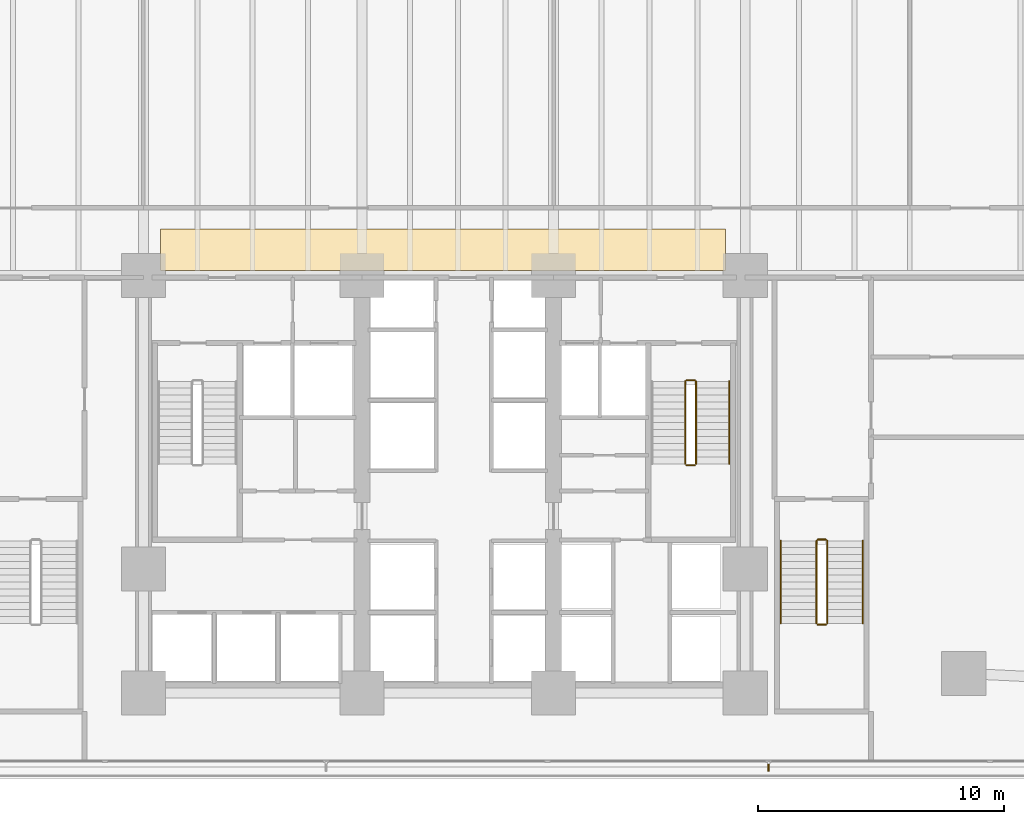
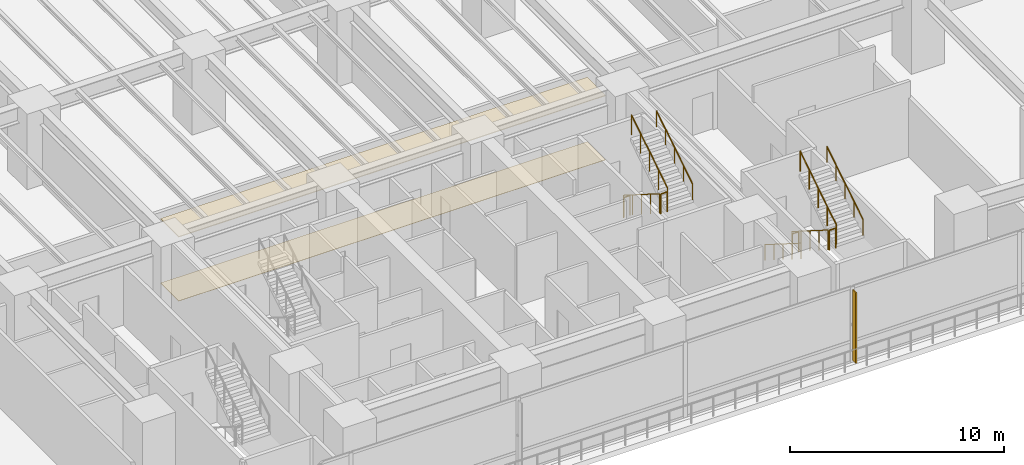
# One storey, part 23 of 28: 11 railings, 2 coverings, 1 shading device.
"""IFC4 building model written with IfcOpenShell, lengths in metres."""

from ifc_helpers import new_model, si_unit, direction, frame, origin, origin_2d, place, context, subcontext, project, spatial, polyline, circle, outline, extrude, material, layer, layer_set, type_object, element, save


model = new_model("IFC4")

# Units and contexts
model_context = context("Model", 3, precision=1e-05, world=origin(), true_north=direction((0.0, 1.0)))
body_context = subcontext(model_context, "Body", "Model", "MODEL_VIEW")
ifc_project = project(units=[si_unit("LENGTHUNIT", "METRE"), si_unit("AREAUNIT", "SQUARE_METRE"), si_unit("VOLUMEUNIT", "CUBIC_METRE"), si_unit("PLANEANGLEUNIT", "RADIAN"), si_unit("MASSUNIT", "GRAM", prefix="KILO")], contexts=[model_context])

# Site, building, storey
site_placement = place(None, origin())
site = spatial("IfcSite", under=ifc_project, at=site_placement, CompositionType="ELEMENT")
building_placement = place(site_placement, origin())
building = spatial("IfcBuilding", under=site, at=building_placement, Name="Qalmaran Belvedere Hotel", CompositionType="ELEMENT")
storey_placement = place(building_placement, frame((0.0, 0.0, 10.0)))
storey = spatial("IfcBuildingStorey", under=building, at=storey_placement, Name="L02", CompositionType="ELEMENT", Elevation=10.0)

# Covering
ifc_material_1 = material(Name="Acoustic Mineral Ceiling")
ifc_layer_1 = layer(ifc_material_1, 0.0400390625, Name="Acoustic Mineral Ceiling")
ifc_layer_set_1 = layer_set([ifc_layer_1], Name="Acoustic Mineral Ceiling")
covering_type_1 = type_object("IfcCoveringType", Name="CLG-ACOUSTIC-40", PredefinedType="CEILING", material=ifc_layer_set_1)
covering_1_placement = place(storey_placement, frame((0.0, 0.0, 3.64990234375)))
element("IfcCovering", 1, at=covering_1_placement, inside=storey, type_object=covering_type_1, Name="L02 Acoustic Corridor Ceiling", PredefinedType="CEILING", context=body_context, shape_type="SweptSolid", body=[
    extrude(outline(polyline([(21.0, 20.699951171875), (44.0, 20.699951171875), (44.0, 22.39990234375), (21.0, 22.39990234375), (21.0, 20.699951171875)])), origin(), (0.0, 0.0, 1.0), 0.0400390625),
])

# Shading device
ifc_material_2 = material(Name="Anodised Bronze Aluminium", Category="aluminium")
ifc_layer_2 = layer(ifc_material_2, 0.06494140625, Name="Anodised Bronze Aluminium")
ifc_layer_set_2 = layer_set([ifc_layer_2], Name="Anodised Bronze Aluminium")
shading_device_type = type_object("IfcShadingDeviceType", Name="FIN-BRNZ-300", PredefinedType="USERDEFINED", material=ifc_layer_set_2)
shading_device_placement = place(storey_placement, frame((0.0, 0.0, 0.159912109375)))
element("IfcShadingDevice", 2, at=shading_device_placement, inside=storey, type_object=shading_device_type, Name="L02 Bronze Fin 5", ObjectType="FIN", PredefinedType="USERDEFINED", context=body_context, shape_type="SweptSolid", body=[
    extrude(outline(polyline([(45.72509765625, 0.62744140625), (45.72509765625, 0.327392578125), (45.7900390625, 0.327392578125), (45.7900390625, 0.62744140625), (45.72509765625, 0.62744140625)])), origin(), (0.0, 0.0, 1.0), 4.02001953125),
])

# Covering
ifc_material_3 = material(Name="Polished Stone Terrazzo", Category="masonry")
ifc_layer_3 = layer(ifc_material_3, 0.01806640625, Name="Polished Stone Terrazzo")
ifc_layer_set_3 = layer_set([ifc_layer_3], Name="Polished Stone Terrazzo")
covering_type_2 = type_object("IfcCoveringType", Name="FIN-TERRAZZO-18", PredefinedType="FLOORING", material=ifc_layer_set_3)
covering_2_placement = place(storey_placement, frame((0.0, 0.0, 0.001953125)))
element("IfcCovering", 3, at=covering_2_placement, inside=storey, type_object=covering_type_2, Name="L02 Limestone Corridor Flooring", PredefinedType="FLOORING", context=body_context, shape_type="SweptSolid", body=[
    extrude(outline(polyline([(21.0, 20.699951171875), (44.0, 20.699951171875), (44.0, 22.39990234375), (21.0, 22.39990234375), (21.0, 20.699951171875)])), origin(), (0.0, 0.0, 1.0), 0.01806640625),
])

# Railings
ifc_material_4 = material(Name="Stainless Steel 1.4401", Category="steel")
railing_type_1 = type_object("IfcRailingType", Name="RLG-STAIR-GUARD-1150", PredefinedType="GUARDRAIL", material=ifc_material_4)
railing_1_placement = place(storey_placement, frame((42.360107421875, 16.18994140625, 0.177001953125)))
element("IfcRailing", 4, at=railing_1_placement, inside=storey, type_object=railing_type_1, Name="L02 ST-2 stair guard 1", PredefinedType="GUARDRAIL", context=body_context, shape_type="SweptSolid", body=[
    extrude(circle(Radius=0.02392578125, at=origin_2d()), frame((0.0, 0.0, 1.1259765625), z_axis=(0.0, -0.845372108799, 0.534177870812), x_axis=(1.0, 0.0, 0.0)), (0.0, 0.0, 1.0), 3.974365234375),
    extrude(circle(Radius=0.02099609375, at=origin_2d()), origin(), (0.0, 0.0, 1.0), 1.101806640625),
    extrude(circle(Radius=0.02099609375, at=origin_2d()), frame((0.0, -0.83984375, 0.53076171875)), (0.0, 0.0, 1.0), 1.101806640625),
    extrude(circle(Radius=0.02099609375, at=origin_2d()), frame((0.0, -1.679931640625, 1.0615234375)), (0.0, 0.0, 1.0), 1.101806640625),
    extrude(circle(Radius=0.02099609375, at=origin_2d()), frame((0.0, -2.52001953125, 1.59228515625)), (0.0, 0.0, 1.0), 1.101806640625),
    extrude(circle(Radius=0.02099609375, at=origin_2d()), frame((0.0, -3.35986328125, 2.123046875)), (0.0, 0.0, 1.0), 1.101806640625),
])
railing_2_placement = place(storey_placement, frame((42.409912109375, 12.780029296875, 2.300048828125)))
element("IfcRailing", 5, at=railing_2_placement, inside=storey, type_object=railing_type_1, Name="L02 ST-2 stair guard 2", PredefinedType="GUARDRAIL", context=body_context, shape_type="SweptSolid", body=[
    extrude(circle(Radius=0.02392578125, at=origin_2d()), frame((0.0, 0.0, 1.1259765625), z_axis=(1.0, 0.0, 0.0), x_axis=(0.0, 1.0, 0.0)), (0.0, 0.0, 1.0), 0.340087890625),
    extrude(circle(Radius=0.02099609375, at=origin_2d()), origin(), (0.0, 0.0, 1.0), 1.101806640625),
    extrude(circle(Radius=0.02099609375, at=origin_2d()), frame((0.340087890625, 0.0, 0.0)), (0.0, 0.0, 1.0), 1.101806640625),
])
railing_3_placement = place(storey_placement, frame((42.800048828125, 12.830078125, 2.476806640625)))
element("IfcRailing", 6, at=railing_3_placement, inside=storey, type_object=railing_type_1, Name="L02 ST-2 stair guard 3", PredefinedType="GUARDRAIL", context=body_context, shape_type="SweptSolid", body=[
    extrude(circle(Radius=0.02392578125, at=origin_2d()), frame((0.0, 0.0, 1.1259765625), z_axis=(0.0, 0.845344368971, 0.534221768416), x_axis=(-1.0, 0.0, 0.0)), (0.0, 0.0, 1.0), 3.974609375),
    extrude(circle(Radius=0.02099609375, at=origin_2d()), origin(), (0.0, 0.0, 1.0), 1.101806640625),
    extrude(circle(Radius=0.02099609375, at=origin_2d()), frame((0.0, 0.83984375, 0.53076171875)), (0.0, 0.0, 1.0), 1.101806640625),
    extrude(circle(Radius=0.02099609375, at=origin_2d()), frame((0.0, 1.679931640625, 1.0615234375)), (0.0, 0.0, 1.0), 1.101806640625),
    extrude(circle(Radius=0.02099609375, at=origin_2d()), frame((0.0, 2.52001953125, 1.592529296875)), (0.0, 0.0, 1.0), 1.101806640625),
    extrude(circle(Radius=0.02099609375, at=origin_2d()), frame((0.0, 3.35986328125, 2.123291015625)), (0.0, 0.0, 1.0), 1.101806640625),
])
railing_4_placement = place(storey_placement, frame((42.409912109375, 16.239990234375, 0.0)))
element("IfcRailing", 7, at=railing_4_placement, inside=storey, type_object=railing_type_1, Name="L02 ST-2 stair guard 4", PredefinedType="GUARDRAIL", context=body_context, shape_type="SweptSolid", body=[
    extrude(circle(Radius=0.02392578125, at=origin_2d()), frame((0.0, 0.0, 1.1259765625), z_axis=(1.0, 0.0, 0.0), x_axis=(0.0, 1.0, 0.0)), (0.0, 0.0, 1.0), 0.340087890625),
    extrude(circle(Radius=0.02099609375, at=origin_2d()), origin(), (0.0, 0.0, 1.0), 1.101806640625),
    extrude(circle(Radius=0.02099609375, at=origin_2d()), frame((0.340087890625, 0.0, 0.0)), (0.0, 0.0, 1.0), 1.101806640625),
])
railing_5_placement = place(storey_placement, frame((47.699951171875, 9.699951171875, 0.177001953125)))
element("IfcRailing", 8, at=railing_5_placement, inside=storey, type_object=railing_type_1, Name="L02 ST-P2 stair guard 1", PredefinedType="GUARDRAIL", context=body_context, shape_type="SweptSolid", body=[
    extrude(circle(Radius=0.02392578125, at=origin_2d()), frame((0.0, 0.0, 1.1259765625), z_axis=(0.0, -0.845372108799, 0.534177870812), x_axis=(1.0, 0.0, 0.0)), (0.0, 0.0, 1.0), 3.974365234375),
    extrude(circle(Radius=0.02099609375, at=origin_2d()), origin(), (0.0, 0.0, 1.0), 1.101806640625),
    extrude(circle(Radius=0.02099609375, at=origin_2d()), frame((0.0, -0.83984375, 0.53076171875)), (0.0, 0.0, 1.0), 1.101806640625),
    extrude(circle(Radius=0.02099609375, at=origin_2d()), frame((0.0, -1.679931640625, 1.0615234375)), (0.0, 0.0, 1.0), 1.101806640625),
    extrude(circle(Radius=0.02099609375, at=origin_2d()), frame((0.0, -2.52001953125, 1.59228515625)), (0.0, 0.0, 1.0), 1.101806640625),
    extrude(circle(Radius=0.02099609375, at=origin_2d()), frame((0.0, -3.35986328125, 2.123046875)), (0.0, 0.0, 1.0), 1.101806640625),
])
railing_6_placement = place(storey_placement, frame((47.75, 6.2900390625, 2.300048828125)))
element("IfcRailing", 9, at=railing_6_placement, inside=storey, type_object=railing_type_1, Name="L02 ST-P2 stair guard 2", PredefinedType="GUARDRAIL", context=body_context, shape_type="SweptSolid", body=[
    extrude(circle(Radius=0.02392578125, at=origin_2d()), frame((0.0, 0.0, 1.1259765625), z_axis=(1.0, 0.0, 0.0), x_axis=(0.0, 1.0, 0.0)), (0.0, 0.0, 1.0), 0.340087890625),
    extrude(circle(Radius=0.02099609375, at=origin_2d()), origin(), (0.0, 0.0, 1.0), 1.101806640625),
    extrude(circle(Radius=0.02099609375, at=origin_2d()), frame((0.340087890625, 0.0, 0.0)), (0.0, 0.0, 1.0), 1.101806640625),
])
railing_7_placement = place(storey_placement, frame((48.139892578125, 6.340087890625, 2.476806640625)))
element("IfcRailing", 10, at=railing_7_placement, inside=storey, type_object=railing_type_1, Name="L02 ST-P2 stair guard 3", PredefinedType="GUARDRAIL", context=body_context, shape_type="SweptSolid", body=[
    extrude(circle(Radius=0.02392578125, at=origin_2d()), frame((0.0, 0.0, 1.1259765625), z_axis=(0.0, 0.845344368971, 0.534221768416), x_axis=(-1.0, 0.0, 0.0)), (0.0, 0.0, 1.0), 3.974609375),
    extrude(circle(Radius=0.02099609375, at=origin_2d()), origin(), (0.0, 0.0, 1.0), 1.101806640625),
    extrude(circle(Radius=0.02099609375, at=origin_2d()), frame((0.0, 0.83984375, 0.53076171875)), (0.0, 0.0, 1.0), 1.101806640625),
    extrude(circle(Radius=0.02099609375, at=origin_2d()), frame((0.0, 1.679931640625, 1.0615234375)), (0.0, 0.0, 1.0), 1.101806640625),
    extrude(circle(Radius=0.02099609375, at=origin_2d()), frame((0.0, 2.52001953125, 1.592529296875)), (0.0, 0.0, 1.0), 1.101806640625),
    extrude(circle(Radius=0.02099609375, at=origin_2d()), frame((0.0, 3.35986328125, 2.123291015625)), (0.0, 0.0, 1.0), 1.101806640625),
])
railing_8_placement = place(storey_placement, frame((47.75, 9.75, 0.0)))
element("IfcRailing", 11, at=railing_8_placement, inside=storey, type_object=railing_type_1, Name="L02 ST-P2 stair guard 4", PredefinedType="GUARDRAIL", context=body_context, shape_type="SweptSolid", body=[
    extrude(circle(Radius=0.02392578125, at=origin_2d()), frame((0.0, 0.0, 1.1259765625), z_axis=(1.0, 0.0, 0.0), x_axis=(0.0, 1.0, 0.0)), (0.0, 0.0, 1.0), 0.340087890625),
    extrude(circle(Radius=0.02099609375, at=origin_2d()), origin(), (0.0, 0.0, 1.0), 1.101806640625),
    extrude(circle(Radius=0.02099609375, at=origin_2d()), frame((0.340087890625, 0.0, 0.0)), (0.0, 0.0, 1.0), 1.101806640625),
])
railing_type_2 = type_object("IfcRailingType", Name="RLG-STAIR-HAND-910", PredefinedType="HANDRAIL", material=ifc_material_4)
railing_9_placement = place(storey_placement, frame((44.14990234375, 12.830078125, 2.476806640625)))
element("IfcRailing", 12, at=railing_9_placement, inside=storey, type_object=railing_type_2, Name="L02 ST-2 stair handrail 2", PredefinedType="HANDRAIL", context=body_context, shape_type="SweptSolid", body=[
    extrude(circle(Radius=0.02392578125, at=origin_2d()), frame((0.0, 0.0, 0.8857421875), z_axis=(0.0, 0.845344368971, 0.534221768416), x_axis=(-1.0, 0.0, 0.0)), (0.0, 0.0, 1.0), 3.974609375),
    extrude(circle(Radius=0.02099609375, at=origin_2d()), origin(), (0.0, 0.0, 1.0), 0.86181640625),
    extrude(circle(Radius=0.02099609375, at=origin_2d()), frame((0.0, 0.83984375, 0.53076171875)), (0.0, 0.0, 1.0), 0.86181640625),
    extrude(circle(Radius=0.02099609375, at=origin_2d()), frame((0.0, 1.679931640625, 1.0615234375)), (0.0, 0.0, 1.0), 0.86181640625),
    extrude(circle(Radius=0.02099609375, at=origin_2d()), frame((0.0, 2.52001953125, 1.592529296875)), (0.0, 0.0, 1.0), 0.86181640625),
    extrude(circle(Radius=0.02099609375, at=origin_2d()), frame((0.0, 3.35986328125, 2.123291015625)), (0.0, 0.0, 1.0), 0.86181640625),
])
railing_10_placement = place(storey_placement, frame((46.25, 9.699951171875, 0.177001953125)))
element("IfcRailing", 13, at=railing_10_placement, inside=storey, type_object=railing_type_2, Name="L02 ST-P2 stair handrail 1", PredefinedType="HANDRAIL", context=body_context, shape_type="SweptSolid", body=[
    extrude(circle(Radius=0.02392578125, at=origin_2d()), frame((0.0, 0.0, 0.8857421875), z_axis=(0.0, -0.845372108799, 0.534177870812), x_axis=(1.0, 0.0, 0.0)), (0.0, 0.0, 1.0), 3.974365234375),
    extrude(circle(Radius=0.02099609375, at=origin_2d()), origin(), (0.0, 0.0, 1.0), 0.86181640625),
    extrude(circle(Radius=0.02099609375, at=origin_2d()), frame((0.0, -0.83984375, 0.53076171875)), (0.0, 0.0, 1.0), 0.86181640625),
    extrude(circle(Radius=0.02099609375, at=origin_2d()), frame((0.0, -1.679931640625, 1.0615234375)), (0.0, 0.0, 1.0), 0.86181640625),
    extrude(circle(Radius=0.02099609375, at=origin_2d()), frame((0.0, -2.52001953125, 1.59228515625)), (0.0, 0.0, 1.0), 0.86181640625),
    extrude(circle(Radius=0.02099609375, at=origin_2d()), frame((0.0, -3.35986328125, 2.123046875)), (0.0, 0.0, 1.0), 0.86181640625),
])
railing_11_placement = place(storey_placement, frame((49.590087890625, 6.340087890625, 2.476806640625)))
element("IfcRailing", 14, at=railing_11_placement, inside=storey, type_object=railing_type_2, Name="L02 ST-P2 stair handrail 2", PredefinedType="HANDRAIL", context=body_context, shape_type="SweptSolid", body=[
    extrude(circle(Radius=0.02392578125, at=origin_2d()), frame((0.0, 0.0, 0.8857421875), z_axis=(0.0, 0.845344368971, 0.534221768416), x_axis=(-1.0, 0.0, 0.0)), (0.0, 0.0, 1.0), 3.974609375),
    extrude(circle(Radius=0.02099609375, at=origin_2d()), origin(), (0.0, 0.0, 1.0), 0.86181640625),
    extrude(circle(Radius=0.02099609375, at=origin_2d()), frame((0.0, 0.83984375, 0.53076171875)), (0.0, 0.0, 1.0), 0.86181640625),
    extrude(circle(Radius=0.02099609375, at=origin_2d()), frame((0.0, 1.679931640625, 1.0615234375)), (0.0, 0.0, 1.0), 0.86181640625),
    extrude(circle(Radius=0.02099609375, at=origin_2d()), frame((0.0, 2.52001953125, 1.592529296875)), (0.0, 0.0, 1.0), 0.86181640625),
    extrude(circle(Radius=0.02099609375, at=origin_2d()), frame((0.0, 3.35986328125, 2.123291015625)), (0.0, 0.0, 1.0), 0.86181640625),
])

save(model, "model.ifc")
